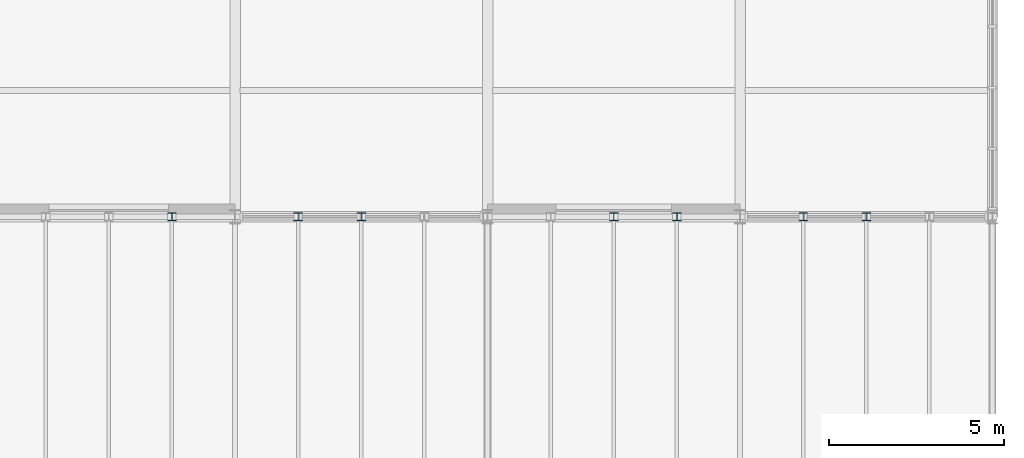
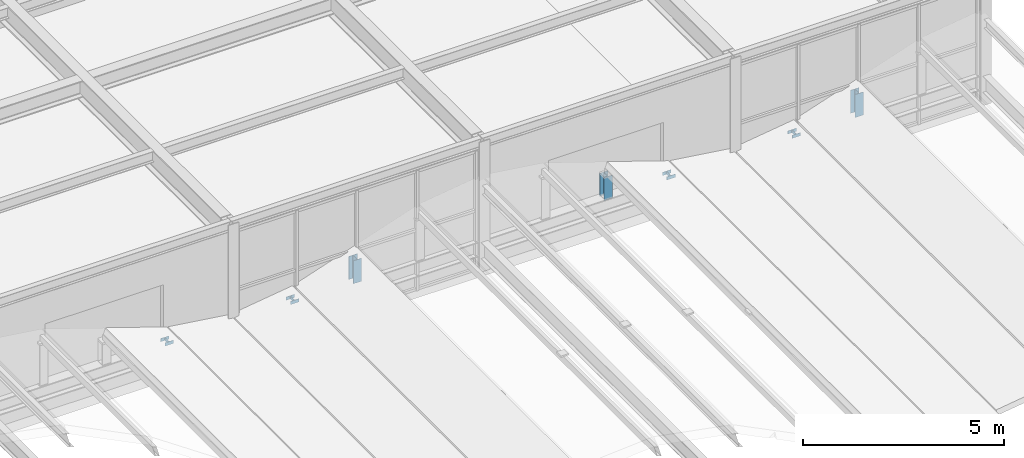
# One storey, part 49 of 83: 7 members.
"""IFC4 building model written with IfcOpenShell, lengths in metres."""

import ifcopenshell
import ifcopenshell.guid

model = None  # the IFC model being written
_history = None  # IfcOwnerHistory: only IFC2X3 demands one
_inside = {}  # id of a spatial element -> (the spatial element, [elements in it])
_under = {}  # id of a project, library or spatial element -> (it, [spatial elements below it])
_declared = {}  # id of a project -> (the project, [libraries it declares])
_typed = {}  # id of a type object -> (the type object, [elements of that type])
_made_of = {}  # id of a material, layer set ... -> (it, [elements and type objects made of it])


def new_model(schema):
    """Start an empty IFC model of exactly this schema.

    Asked for "IFC4X3", IfcOpenShell would pick the latest addendum, in which some entities
    have other attributes; the version numbers below select the first issue.
    IFC2X3 requires an IfcOwnerHistory on every rooted entity: one is made here for all.
    """
    global model, _history
    if schema == "IFC4X3":
        model = ifcopenshell.file(schema_version=(4, 3, 0, 0))
    else:
        model = ifcopenshell.file(schema=schema)
    _inside.clear()
    _under.clear()
    _declared.clear()
    _typed.clear()
    _made_of.clear()
    _history = None
    if model.schema == "IFC2X3":
        org = make("IfcOrganization", Name="unknown")
        user = make(
            "IfcPersonAndOrganization",
            ThePerson=make("IfcPerson", FamilyName="unknown"),
            TheOrganization=org,
        )
        app = make(
            "IfcApplication",
            ApplicationDeveloper=org,
            Version="unknown",
            ApplicationFullName="unknown",
            ApplicationIdentifier="unknown",
        )
        _history = make(
            "IfcOwnerHistory",
            OwningUser=user,
            OwningApplication=app,
            ChangeAction="ADDED",
            CreationDate=0,
        )
    return model


def make(cls, **values):
    """One entity of the class cls with the attributes given. An attribute that is None is left unset."""
    return model.create_entity(
        cls, **{name: value for name, value in values.items() if value is not None}
    )


def rooted(cls, **values):
    """An entity with a GlobalId (a new one), such as an element, a storey or a relation."""
    return make(cls, GlobalId=ifcopenshell.guid.new(), OwnerHistory=_history, **values)


def si_unit(unit_type, name, prefix=None):
    """IfcSIUnit, for example si_unit("LENGTHUNIT", "METRE", prefix="MILLI")."""
    return make("IfcSIUnit", UnitType=unit_type, Prefix=prefix, Name=name)


def assignment(units):
    """IfcUnitAssignment: the units of a project."""
    return None if units is None else make("IfcUnitAssignment", Units=units)


def point(xyz):
    """IfcCartesianPoint."""
    return None if xyz is None else make("IfcCartesianPoint", Coordinates=xyz)


def direction(xyz):
    """IfcDirection."""
    return None if xyz is None else make("IfcDirection", DirectionRatios=xyz)


def frame(location, z_axis=None, x_axis=None):
    """IfcAxis2Placement3D, a coordinate frame: its origin and axes. An axis left out is left unset."""
    return make(
        "IfcAxis2Placement3D",
        Location=point(location),
        Axis=direction(z_axis),
        RefDirection=direction(x_axis),
    )


def frame_2d(location, x_axis=None):
    """IfcAxis2Placement2D, a coordinate frame in the plane: its origin and x axis."""
    return make(
        "IfcAxis2Placement2D", Location=point(location), RefDirection=direction(x_axis)
    )


def origin():
    """The frame at (0, 0, 0) with its axes left unset."""
    return frame((0.0, 0.0, 0.0))


def origin_2d():
    """The frame at (0, 0) in the plane with its x axis left unset."""
    return frame_2d((0.0, 0.0))


def place(relative_to, where):
    """IfcLocalPlacement: puts the frame where relative to a parent placement (None: the world)."""
    return make(
        "IfcLocalPlacement", PlacementRelTo=relative_to, RelativePlacement=where
    )


def context(
    kind, dimensions, precision=None, world=None, true_north=None, identifier=None
):
    """IfcGeometricRepresentationContext, for example the 3D "Model" context."""
    return make(
        "IfcGeometricRepresentationContext",
        ContextIdentifier=identifier,
        ContextType=kind,
        CoordinateSpaceDimension=dimensions,
        Precision=precision,
        WorldCoordinateSystem=world,
        TrueNorth=true_north,
    )


def subcontext(parent, identifier, kind, view, scale=None):
    """IfcGeometricRepresentationSubContext, for example "Body" below "Model"."""
    return make(
        "IfcGeometricRepresentationSubContext",
        ContextIdentifier=identifier,
        ContextType=kind,
        ParentContext=parent,
        TargetScale=scale,
        TargetView=view,
    )


def project(units=None, contexts=None):
    """IfcProject with its units and contexts."""
    return rooted(
        "IfcProject",
        Name="project",
        RepresentationContexts=contexts,
        UnitsInContext=assignment(units),
    )


def spatial(cls, under=None, at=None, **own):
    """A site, building, storey or space (cls), placed at a placement, below another one or the project."""
    s = rooted(cls, ObjectPlacement=at, **own)
    if under is not None:
        _under.setdefault(under.id(), (under, []))[1].append(s)
    return s


def profile(cls, at=None, kind="AREA", **sizes):
    """A parametric profile (cls). Its sizes go by their IFC names, for example OverallWidth=200.0."""
    return make(cls, ProfileType=kind, Position=at, **sizes)


def i_section(**sizes):
    """IfcIShapeProfileDef."""
    return profile("IfcIShapeProfileDef", **sizes)


def extrude(swept, where, along, depth):
    """IfcExtrudedAreaSolid: the profile swept, set in the frame where, extruded along a direction by depth."""
    return make(
        "IfcExtrudedAreaSolid",
        SweptArea=swept,
        Position=where,
        ExtrudedDirection=direction(along),
        Depth=depth,
    )


def shape(context_of_items, identifier, shape_type, items):
    """IfcShapeRepresentation: the items that make up one representation, for example the "Body"."""
    return make(
        "IfcShapeRepresentation",
        ContextOfItems=context_of_items,
        RepresentationIdentifier=identifier,
        RepresentationType=shape_type,
        Items=items,
    )


def material(Name=None, Category=None):
    """IfcMaterial."""
    return make("IfcMaterial", Name=Name, Category=Category)


def material_profile(
    of_material, cross_section, Name=None, Category=None, Priority=None
):
    """IfcMaterialProfile: a cross section and its material."""
    return make(
        "IfcMaterialProfile",
        Name=Name,
        Material=of_material,
        Profile=cross_section,
        Priority=Priority,
        Category=Category,
    )


def profile_set(profiles, Name=None, composite=None):
    """IfcMaterialProfileSet."""
    return make(
        "IfcMaterialProfileSet",
        Name=Name,
        MaterialProfiles=profiles,
        CompositeProfile=composite,
    )


def made_of(thing, what):
    """Note that an element or type object is made of a material, layer set ...; save() writes the relation."""
    if what is not None:
        _made_of.setdefault(what.id(), (what, []))[1].append(thing)
    return thing


def type_object(cls, material=None, **own):
    """A type object (cls), such as IfcWallType, which elements share."""
    return made_of(rooted(cls, **own), material)


def element(
    cls,
    number,
    at=None,
    inside=None,
    cuts=None,
    type_object=None,
    material=None,
    context=None,
    identifier="Body",
    shape_type=None,
    held_by="IfcProductDefinitionShape",
    body=None,
    shapes=None,
    **own,
):
    """One element of the class cls, such as IfcWall. Its Tag is "e" and its number.

    at: its placement. inside: the storey or other place that contains it. cuts: it is an
    opening in that element (IfcRelVoidsElement). A single representation is given by context,
    identifier, shape_type and body (its items); several are given by shapes. held_by: the class
    of the entity that holds the representations. save() writes the other relations.
    """
    e = rooted(cls, Tag="e%d" % number, ObjectPlacement=at, **own)
    if body is not None:
        shapes = [shape(context, identifier, shape_type, body)]
    if shapes is not None:
        e.Representation = make(held_by, Representations=shapes)
    if inside is not None:
        _inside.setdefault(inside.id(), (inside, []))[1].append(e)
    if cuts is not None:
        rooted(
            "IfcRelVoidsElement", RelatingBuildingElement=cuts, RelatedOpeningElement=e
        )
    if type_object is not None:
        _typed.setdefault(type_object.id(), (type_object, []))[1].append(e)
    return made_of(e, material)


def aggregate(whole, parts):
    """IfcRelAggregates: a whole, such as a stair, and the parts it consists of."""
    return rooted("IfcRelAggregates", RelatingObject=whole, RelatedObjects=parts)


def save(model, path):
    """Write the relations noted so far, then the file.

    IfcRelAggregates (storeys below a building ...), IfcRelContainedInSpatialStructure (elements
    in a storey), IfcRelDefinesByType, IfcRelAssociatesMaterial and IfcRelDeclares: one each for
    every whole, place, type object, material and project.
    """
    for whole, parts in _under.values():
        aggregate(whole, parts)
    for where, things in _inside.values():
        rooted(
            "IfcRelContainedInSpatialStructure",
            RelatedElements=things,
            RelatingStructure=where,
        )
    for kind, things in _typed.values():
        rooted("IfcRelDefinesByType", RelatedObjects=things, RelatingType=kind)
    for what, things in _made_of.values():
        rooted("IfcRelAssociatesMaterial", RelatedObjects=things, RelatingMaterial=what)
    for by, libraries in _declared.values():
        rooted("IfcRelDeclares", RelatingContext=by, RelatedDefinitions=libraries)
    model.write(path)


model = new_model("IFC4")

# Units and contexts
model_context = context("Model", 3, precision=1e-05, world=origin(), true_north=direction((0.0, 1.0)))
body_context = subcontext(model_context, "Body", "Model", "MODEL_VIEW")
ifc_project = project(units=[si_unit("LENGTHUNIT", "METRE"), si_unit("AREAUNIT", "SQUARE_METRE"), si_unit("VOLUMEUNIT", "CUBIC_METRE"), si_unit("PLANEANGLEUNIT", "RADIAN"), si_unit("MASSUNIT", "GRAM", prefix="KILO")], contexts=[model_context])

# Site, building, storey
site_placement = place(None, origin())
site = spatial("IfcSite", under=ifc_project, at=site_placement, CompositionType="ELEMENT")
building_placement = place(site_placement, origin())
building = spatial("IfcBuilding", under=site, at=building_placement, Name="Leyfeld Transit Interchange", CompositionType="ELEMENT")
storey_placement = place(building_placement, frame((0.0, 0.0, 5.39990234375)))
storey = spatial("IfcBuildingStorey", under=building, at=storey_placement, Name="L01", CompositionType="ELEMENT", Elevation=5.39990234375)

# Members
ifc_material = material(Name="Steel S355J2", Category="steel")
ifc_material_profile = material_profile(ifc_material, i_section(OverallWidth=0.239990234375, OverallDepth=0.22998046875, WebThickness=0.007568359375, FlangeThickness=0.011962890625, FilletRadius=0.02099609375, at=origin_2d()), Name="HEA 240")
ifc_profile_set = profile_set([ifc_material_profile], Name="Steel S355J2")
member_type = type_object("IfcMemberType", Name="MEM-CHD-HEA240", PredefinedType="CHORD", material=ifc_profile_set)
for number, where, z_axis, x_axis, name in (
    (1, (163.800048828125, 43.199951171875, 0.860107421875), (0.0, 0.0, 1.0), (1.0, 0.0, 0.0), "Wave Canopy Riser Post 236"),
    (2, (167.39990234375, 43.199951171875, 0.860107421875), (0.0, 0.0, 1.0), (1.0, 0.0, 0.0), "Wave Canopy Riser Post 246"),
):
    element("IfcMember", number, at=place(storey_placement, frame(where, z_axis=z_axis, x_axis=x_axis)), inside=storey, type_object=member_type, Name=name, PredefinedType="CHORD", context=body_context, shape_type="SweptSolid", body=[
        extrude(i_section(OverallWidth=0.239990234375, OverallDepth=0.22998046875, WebThickness=0.007568359375, FlangeThickness=0.011962890625, FilletRadius=0.02099609375, at=origin_2d()), origin(), (0.0, 0.0, 1.0), 0.0947265625),
    ])
for number, where, z_axis, x_axis, name in (
    (3, (169.199951171875, 43.199951171875, 0.860107421875), (0.0, 0.0, 1.0), (1.0, 0.0, 0.0), "Wave Canopy Riser Post 253"),
    (4, (176.39990234375, 43.199951171875, 0.860107421875), (0.0, 0.0, 1.0), (1.0, 0.0, 0.0), "Wave Canopy Riser Post 281"),
):
    element("IfcMember", number, at=place(storey_placement, frame(where, z_axis=z_axis, x_axis=x_axis)), inside=storey, type_object=member_type, Name=name, PredefinedType="CHORD", context=body_context, shape_type="SweptSolid", body=[
        extrude(i_section(OverallWidth=0.239990234375, OverallDepth=0.22998046875, WebThickness=0.007568359375, FlangeThickness=0.011962890625, FilletRadius=0.02099609375, at=origin_2d()), origin(), (0.0, 0.0, 1.0), 0.696533203125),
    ])
for number, where, z_axis, x_axis, name in (
    (5, (178.199951171875, 43.199951171875, 0.860107421875), (0.0, 0.0, 1.0), (1.0, 0.0, 0.0), "Wave Canopy Riser Post 288"),
    (6, (181.800048828125, 43.199951171875, 0.860107421875), (0.0, 0.0, 1.0), (1.0, 0.0, 0.0), "Wave Canopy Riser Post 298"),
):
    element("IfcMember", number, at=place(storey_placement, frame(where, z_axis=z_axis, x_axis=x_axis)), inside=storey, type_object=member_type, Name=name, PredefinedType="CHORD", context=body_context, shape_type="SweptSolid", body=[
        extrude(i_section(OverallWidth=0.239990234375, OverallDepth=0.22998046875, WebThickness=0.007568359375, FlangeThickness=0.011962890625, FilletRadius=0.02099609375, at=origin_2d()), origin(), (0.0, 0.0, 1.0), 0.0947265625),
    ])
member_placement = place(storey_placement, frame((183.60009765625, 43.199951171875, 0.860107421875), z_axis=(0.0, 0.0, 1.0), x_axis=(1.0, 0.0, 0.0)))
element("IfcMember", 7, at=member_placement, inside=storey, type_object=member_type, Name="Wave Canopy Riser Post 305", PredefinedType="CHORD", context=body_context, shape_type="SweptSolid", body=[
    extrude(i_section(OverallWidth=0.239990234375, OverallDepth=0.22998046875, WebThickness=0.007568359375, FlangeThickness=0.011962890625, FilletRadius=0.02099609375, at=origin_2d()), origin(), (0.0, 0.0, 1.0), 0.696533203125),
])

save(model, "model.ifc")
